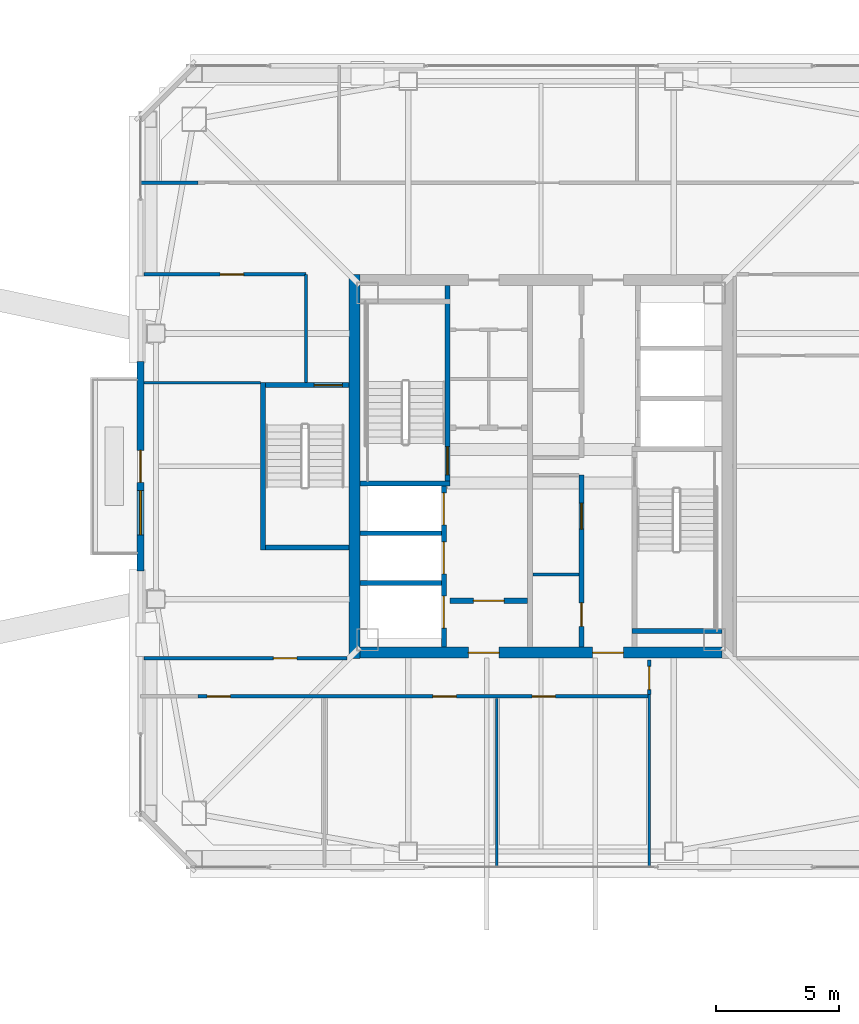
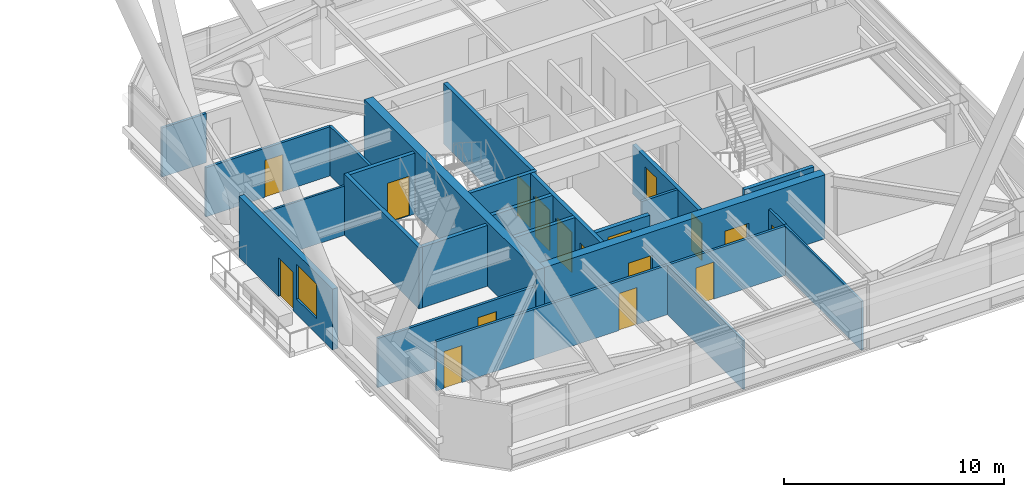
# One storey, part 46 of 56: 24 walls, 17 doors, 1 window, 18 openings.
"""IFC4 building model written with IfcOpenShell, lengths in metres."""

from ifc_helpers import new_model, si_unit, direction, frame, frame_2d, origin, place, context, subcontext, project, spatial, rectangle, extrude, material, layer, layer_set, type_object, element, fill, save


model = new_model("IFC4")

# Units and contexts
model_context = context("Model", 3, precision=1e-05, world=origin(), true_north=direction((0.0, 1.0)))
body_context = subcontext(model_context, "Body", "Model", "MODEL_VIEW")
ifc_project = project(units=[si_unit("LENGTHUNIT", "METRE"), si_unit("AREAUNIT", "SQUARE_METRE"), si_unit("VOLUMEUNIT", "CUBIC_METRE"), si_unit("PLANEANGLEUNIT", "RADIAN"), si_unit("MASSUNIT", "GRAM", prefix="KILO")], contexts=[model_context])

# Site, building, storey
site_placement = place(None, origin())
site = spatial("IfcSite", under=ifc_project, at=site_placement, CompositionType="ELEMENT")
building_placement = place(site_placement, origin())
building = spatial("IfcBuilding", under=site, at=building_placement, Name="Tashvorn Skyway Center", CompositionType="ELEMENT")
storey_placement = place(building_placement, frame((0.0, 0.0, 218.39990234375)))
storey = spatial("IfcBuildingStorey", under=building, at=storey_placement, Name="L59", CompositionType="ELEMENT", Elevation=218.39990234375)

# Wall
ifc_material_1 = material(Name="Concrete C50/60", Category="concrete")
ifc_layer_1 = layer(ifc_material_1, 0.449951171875)
ifc_layer_set_1 = layer_set([ifc_layer_1], Name="Concrete C50/60")
wall_type_1 = type_object("IfcWallType", Name="WALL-CORE-450", PredefinedType="SHEAR", material=ifc_layer_set_1)
wall_1_placement = place(storey_placement, frame((34.425048828125, 24.199951171875, 0.0), z_axis=(0.0, 0.0, 1.0), x_axis=(0.0, 1.0, 0.0)))
element("IfcWall", 1, at=wall_1_placement, inside=storey, type_object=wall_type_1, Name="Tower 1 L59 West Core Shear Wall", PredefinedType="SHEAR", context=body_context, shape_type="SweptSolid", body=[
    extrude(rectangle(XDim=15.60009765625, YDim=0.449951171875, at=frame_2d((7.800048828125, 0.0))), origin(), (0.0, 0.0, 1.0), 3.550048828125),
])

# Wall, openings, doors
wall_2_placement = place(storey_placement, frame((49.35009765625, 24.425048828125, 0.0), z_axis=(0.0, 0.0, 1.0), x_axis=(-1.0, 0.0, 0.0)))
wall_2 = element("IfcWall", 2, at=wall_2_placement, inside=storey, type_object=wall_type_1, Name="Tower 1 L59 South Core Shear Wall", PredefinedType="SHEAR", context=body_context, shape_type="SweptSolid", body=[
    extrude(rectangle(XDim=14.7001953125, YDim=0.449951171875, at=frame_2d((7.35009765625, 0.0))), origin(), (0.0, 0.0, 1.0), 3.550048828125),
])
opening_1_placement = place(wall_2_placement, frame((9.050048828125, 0.0, 0.0)))
opening_1 = element("IfcOpeningElement", 3, at=opening_1_placement, cuts=wall_2, Name="Opening D-FFL-1250", PredefinedType="OPENING", context=body_context, shape_type="SweptSolid", body=[
    extrude(rectangle(XDim=1.25, YDim=2.25, at=frame_2d((0.625, 1.125))), frame((0.0, 0.23486328125, 0.0), z_axis=(0.0, -1.0, 0.0), x_axis=(1.0, 0.0, 0.0)), (0.0, 0.0, 1.0), 0.469970703125),
])
opening_2_placement = place(wall_2_placement, frame((4.0, 0.0, 0.0)))
opening_2 = element("IfcOpeningElement", 4, at=opening_2_placement, cuts=wall_2, Name="Opening D-FFL-1250", PredefinedType="OPENING", context=body_context, shape_type="SweptSolid", body=[
    extrude(rectangle(XDim=1.25, YDim=2.25, at=frame_2d((0.625, 1.125))), frame((0.0, 0.23486328125, 0.0), z_axis=(0.0, -1.0, 0.0), x_axis=(1.0, 0.0, 0.0)), (0.0, 0.0, 1.0), 0.469970703125),
])
ifc_material_2 = material(Name="Hollow galvanized steel fire door assembly", Category="steel")
door_type_1 = type_object("IfcDoorType", Name="DOOR-FFL-1250", OperationType="NOTDEFINED", PredefinedType="DOOR", material=ifc_material_2)
door_1_placement = place(opening_1_placement, origin())
door_1 = element("IfcDoor", 5, at=door_1_placement, inside=storey, type_object=door_type_1, Name="Tower 1 L59 Core South Firefighting Exit Door", OperationType="SINGLE_SWING_LEFT", OverallHeight=2.25, OverallWidth=1.25, PredefinedType="DOOR", context=body_context, shape_type="SweptSolid", body=[
    extrude(rectangle(XDim=1.25, YDim=2.25, at=frame_2d((0.625, 1.125))), frame((0.0, 0.02490234375, 0.0), z_axis=(0.0, -1.0, 0.0), x_axis=(1.0, 0.0, 0.0)), (0.0, 0.0, 1.0), 0.050048828125),
])
fill(opening_1, door_1)
door_2_placement = place(opening_2_placement, origin())
door_2 = element("IfcDoor", 6, at=door_2_placement, inside=storey, type_object=door_type_1, Name="Tower 1 L59 Core South Lift Lobby Door", OperationType="SINGLE_SWING_RIGHT", OverallHeight=2.25, OverallWidth=1.25, PredefinedType="DOOR", context=body_context, shape_type="SweptSolid", body=[
    extrude(rectangle(XDim=1.25, YDim=2.25, at=frame_2d((0.625, 1.125))), frame((0.0, 0.02490234375, 0.0), z_axis=(0.0, -1.0, 0.0), x_axis=(1.0, 0.0, 0.0)), (0.0, 0.0, 1.0), 0.050048828125),
])
fill(opening_2, door_2)

# Wall, openings, door, window
ifc_material_3 = material(Name="Precast concrete C40/50", Category="concrete")
ifc_layer_2 = layer(ifc_material_3, 0.280029296875)
ifc_layer_set_2 = layer_set([ifc_layer_2], Name="Precast concrete C40/50")
wall_type_2 = type_object("IfcWallType", Name="WALL-EXT-280", PredefinedType="SOLIDWALL", material=ifc_layer_set_2)
wall_3_placement = place(storey_placement, frame((25.719970703125, 27.75, 0.0), z_axis=(0.0, 0.0, 1.0), x_axis=(0.0, 1.0, 0.0)))
wall_3 = element("IfcWall", 7, at=wall_3_placement, inside=storey, type_object=wall_type_2, Name="Tower 1 L59 West Terrace Portal Wall", PredefinedType="SOLIDWALL", context=body_context, shape_type="SweptSolid", body=[
    extrude(rectangle(XDim=8.5, YDim=0.280029296875, at=frame_2d((4.25, 0.0))), origin(), (0.0, 0.0, 1.0), 3.3701171875),
])
opening_3_placement = place(wall_3_placement, frame((3.60009765625, 0.0, 0.0)))
opening_3 = element("IfcOpeningElement", 8, at=opening_3_placement, cuts=wall_3, Name="Opening D-TER-1300", PredefinedType="OPENING", context=body_context, shape_type="SweptSolid", body=[
    extrude(rectangle(XDim=1.300048828125, YDim=2.14990234375, at=frame_2d((0.64990234375, 1.074951171875))), frame((0.0, 0.14990234375, 0.0), z_axis=(0.0, -1.0, 0.0), x_axis=(1.0, 0.0, 0.0)), (0.0, 0.0, 1.0), 0.300048828125),
])
opening_4_placement = place(wall_3_placement, frame((1.4599609375, 0.0, 0.85009765625)))
opening_4 = element("IfcOpeningElement", 9, at=opening_4_placement, cuts=wall_3, Name="Opening WIN-1800", PredefinedType="OPENING", context=body_context, shape_type="SweptSolid", body=[
    extrude(rectangle(XDim=1.800048828125, YDim=1.919921875, at=frame_2d((0.89990234375, 0.9599609375))), frame((0.0, 0.14990234375, 0.0), z_axis=(0.0, -1.0, 0.0), x_axis=(1.0, 0.0, 0.0)), (0.0, 0.0, 1.0), 0.300048828125),
])
ifc_material_4 = material(Name="Thermally broken bronze-anodized aluminium 6063-T6", Category="aluminium")
door_type_2 = type_object("IfcDoorType", Name="DOOR-TERR-1300", OperationType="NOTDEFINED", PredefinedType="DOOR", material=ifc_material_4)
door_3_placement = place(opening_3_placement, origin())
door_3 = element("IfcDoor", 10, at=door_3_placement, inside=storey, type_object=door_type_2, Name="Tower 1 L59 Terrace Access Door", OperationType="SINGLE_SWING_LEFT", OverallHeight=2.14990234375, OverallWidth=1.300048828125, PredefinedType="DOOR", context=body_context, shape_type="SweptSolid", body=[
    extrude(rectangle(XDim=1.300048828125, YDim=2.14990234375, at=frame_2d((0.64990234375, 1.074951171875))), frame((0.0, 0.02490234375, 0.0), z_axis=(0.0, -1.0, 0.0), x_axis=(1.0, 0.0, 0.0)), (0.0, 0.0, 1.0), 0.050048828125),
])
fill(opening_3, door_3)
ifc_material_5 = material(Name="Low-E solar-control double insulating safety glass", Category="glass")
window_type = type_object("IfcWindowType", Name="WIN-TERR-1800", PartitioningType="SINGLE_PANEL", PredefinedType="WINDOW", material=ifc_material_5)
window_placement = place(opening_4_placement, origin())
window = element("IfcWindow", 11, at=window_placement, inside=storey, type_object=window_type, Name="Tower 1 L59 Terrace Window", OverallHeight=1.919921875, OverallWidth=1.800048828125, PartitioningType="SINGLE_PANEL", PredefinedType="WINDOW", context=body_context, shape_type="SweptSolid", body=[
    extrude(rectangle(XDim=1.800048828125, YDim=1.919921875, at=frame_2d((0.89990234375, 0.9599609375))), frame((0.0, 0.030029296875, 0.0), z_axis=(0.0, -1.0, 0.0), x_axis=(1.0, 0.0, 0.0)), (0.0, 0.0, 1.0), 0.06005859375),
])
fill(opening_4, window)

# Wall, opening, door
ifc_material_6 = material(Name="Concrete C40/50", Category="concrete")
ifc_layer_3 = layer(ifc_material_6, 0.219970703125)
ifc_layer_set_3 = layer_set([ifc_layer_3], Name="Concrete C40/50")
wall_type_3 = type_object("IfcWallType", Name="WALL-FFL-220", PredefinedType="SOLIDWALL", material=ifc_layer_set_3)
wall_4_placement = place(storey_placement, frame((38.300048828125, 26.5400390625, 0.0), z_axis=(0.0, 0.0, 1.0), x_axis=(1.0, 0.0, 0.0)))
wall_4 = element("IfcWall", 12, at=wall_4_placement, inside=storey, type_object=wall_type_3, Name="Tower 1 L59 Firefighting Lobby South Wall", PredefinedType="SOLIDWALL", context=body_context, shape_type="SweptSolid", body=[
    extrude(rectangle(XDim=3.14990234375, YDim=0.219970703125, at=frame_2d((1.574951171875, 0.0))), origin(), (0.0, 0.0, 1.0), 2.72314453125),
])
opening_5_placement = place(wall_4_placement, frame((0.949951171875, 0.0, 0.0)))
opening_5 = element("IfcOpeningElement", 13, at=opening_5_placement, cuts=wall_4, Name="Opening D-FFL-1250", PredefinedType="OPENING", context=body_context, shape_type="SweptSolid", body=[
    extrude(rectangle(XDim=1.25, YDim=2.25, at=frame_2d((0.625, 1.125))), frame((0.0, 0.119873046875, 0.0), z_axis=(0.0, -1.0, 0.0), x_axis=(1.0, 0.0, 0.0)), (0.0, 0.0, 1.0), 0.239990234375),
])
door_4_placement = place(opening_5_placement, origin())
door_4 = element("IfcDoor", 14, at=door_4_placement, inside=storey, type_object=door_type_1, Name="Tower 1 L59 Firefighting Lobby Egress Door", OperationType="SINGLE_SWING_LEFT", OverallHeight=2.25, OverallWidth=1.25, PredefinedType="DOOR", context=body_context, shape_type="SweptSolid", body=[
    extrude(rectangle(XDim=1.25, YDim=2.25, at=frame_2d((0.625, 1.125))), frame((0.0, 0.02490234375, 0.0), z_axis=(0.0, -1.0, 0.0), x_axis=(1.0, 0.0, 0.0)), (0.0, 0.0, 1.0), 0.050048828125),
])
fill(opening_5, door_4)

# Walls
ifc_material_7 = material(Name="Gypsum board on cold-formed steel stud framing", Category="steel")
ifc_layer_4 = layer(ifc_material_7, 0.110107421875)
ifc_layer_set_4 = layer_set([ifc_layer_4], Name="Gypsum board on cold-formed steel stud framing")
wall_type_4 = type_object("IfcWallType", Name="WALL-PART-110", PredefinedType="PARTITIONING", material=ifc_layer_set_4)
wall_5_placement = place(storey_placement, frame((40.199951171875, 15.719970703125, 0.0), z_axis=(0.0, 0.0, 1.0), x_axis=(0.0, 1.0, 0.0)))
element("IfcWall", 15, at=wall_5_placement, inside=storey, type_object=wall_type_4, Name="Tower 1 L59 South Suite Partition 2", PredefinedType="PARTITIONING", context=body_context, shape_type="SweptSolid", body=[
    extrude(rectangle(XDim=6.85009765625, YDim=0.110107421875, at=frame_2d((3.425048828125, 0.0))), origin(), (0.0, 0.0, 1.0), 2.72314453125),
])
wall_6_placement = place(storey_placement, frame((46.39990234375, 15.719970703125, 0.0), z_axis=(0.0, 0.0, 1.0), x_axis=(0.0, 1.0, 0.0)))
element("IfcWall", 16, at=wall_6_placement, inside=storey, type_object=wall_type_4, Name="Tower 1 L59 South-East Suite Wall", PredefinedType="PARTITIONING", context=body_context, shape_type="SweptSolid", body=[
    extrude(rectangle(XDim=7.010009765625, YDim=0.110107421875, at=frame_2d((3.5048828125, 0.0))), origin(), (0.0, 0.0, 1.0), 2.72314453125),
])
wall_7_placement = place(storey_placement, frame((30.60009765625, 35.39990234375, 0.0), z_axis=(0.0, 0.0, 1.0), x_axis=(-1.0, 0.0, 0.0)))
element("IfcWall", 17, at=wall_7_placement, inside=storey, type_object=wall_type_4, Name="Tower 1 L59 West Suite Partition 1", PredefinedType="PARTITIONING", context=body_context, shape_type="SweptSolid", body=[
    extrude(rectangle(XDim=4.72998046875, YDim=0.110107421875, at=frame_2d((2.364990234375, 0.0))), origin(), (0.0, 0.0, 1.0), 2.72314453125),
])
ifc_layer_5 = layer(ifc_material_7, 0.135009765625)
ifc_layer_set_5 = layer_set([ifc_layer_5], Name="Gypsum board on cold-formed steel stud framing")
wall_type_5 = type_object("IfcWallType", Name="WALL-PART-135", PredefinedType="PARTITIONING", material=ifc_layer_set_5)
wall_8_placement = place(storey_placement, frame((32.449951171875, 35.39990234375, 0.0), z_axis=(0.0, 0.0, 1.0), x_axis=(0.0, 1.0, 0.0)))
element("IfcWall", 18, at=wall_8_placement, inside=storey, type_object=wall_type_5, Name="Tower 1 L59 Stair 3 Access Corridor Wall", PredefinedType="PARTITIONING", context=body_context, shape_type="SweptSolid", body=[
    extrude(rectangle(XDim=4.400146484375, YDim=0.135009765625, at=frame_2d((2.2001953125, 0.0))), origin(), (0.0, 0.0, 1.0), 2.72314453125),
])
wall_9_placement = place(storey_placement, frame((25.719970703125, 43.52001953125, 0.0), z_axis=(0.0, 0.0, 1.0), x_axis=(1.0, 0.0, 0.0)))
element("IfcWall", 19, at=wall_9_placement, inside=storey, type_object=wall_type_5, Name="Tower 1 L59 North-West Suite South Wall", PredefinedType="PARTITIONING", context=body_context, shape_type="SweptSolid", body=[
    extrude(rectangle(XDim=2.330078125, YDim=0.135009765625, at=frame_2d((1.1650390625, 0.0))), origin(), (0.0, 0.0, 1.0), 2.72314453125),
])

# Wall, openings, doors
wall_10_placement = place(storey_placement, frame((46.39990234375, 22.64990234375, 0.0), z_axis=(0.0, 0.0, 1.0), x_axis=(-1.0, 0.0, 0.0)))
wall_10 = element("IfcWall", 20, at=wall_10_placement, inside=storey, type_object=wall_type_5, Name="Tower 1 L59 South Suite Wall", PredefinedType="PARTITIONING", context=body_context, shape_type="SweptSolid", body=[
    extrude(rectangle(XDim=18.349853515625, YDim=0.135009765625, at=frame_2d((9.1748046875, 0.0))), origin(), (0.0, 0.0, 1.0), 2.72314453125),
])
opening_6_placement = place(wall_10_placement, frame((17.02001953125, 0.0, 0.0)))
opening_6 = element("IfcOpeningElement", 21, at=opening_6_placement, cuts=wall_10, Name="Opening D-INT-950", PredefinedType="OPENING", context=body_context, shape_type="SweptSolid", body=[
    extrude(rectangle(XDim=0.949951171875, YDim=2.050048828125, at=frame_2d((0.47509765625, 1.02490234375))), frame((0.0, 0.077392578125, 0.0), z_axis=(0.0, -1.0, 0.0), x_axis=(1.0, 0.0, 0.0)), (0.0, 0.0, 1.0), 0.155029296875),
])
opening_7_placement = place(wall_10_placement, frame((7.839599609375, 0.0, 0.0)))
opening_7 = element("IfcOpeningElement", 22, at=opening_7_placement, cuts=wall_10, Name="Opening D-INT-950", PredefinedType="OPENING", context=body_context, shape_type="SweptSolid", body=[
    extrude(rectangle(XDim=0.949951171875, YDim=2.050048828125, at=frame_2d((0.47509765625, 1.02490234375))), frame((0.0, 0.077392578125, 0.0), z_axis=(0.0, -1.0, 0.0), x_axis=(1.0, 0.0, 0.0)), (0.0, 0.0, 1.0), 0.155029296875),
])
opening_8_placement = place(wall_10_placement, frame((3.8134765625, 0.0, 0.0)))
opening_8 = element("IfcOpeningElement", 23, at=opening_8_placement, cuts=wall_10, Name="Opening D-INT-950", PredefinedType="OPENING", context=body_context, shape_type="SweptSolid", body=[
    extrude(rectangle(XDim=0.949951171875, YDim=2.050048828125, at=frame_2d((0.47509765625, 1.02490234375))), frame((0.0, 0.077392578125, 0.0), z_axis=(0.0, -1.0, 0.0), x_axis=(1.0, 0.0, 0.0)), (0.0, 0.0, 1.0), 0.155029296875),
])
ifc_material_8 = material(Name="Solid-core architectural oak veneer door")
door_type_3 = type_object("IfcDoorType", Name="DOOR-INT-950", OperationType="NOTDEFINED", PredefinedType="DOOR", material=ifc_material_8)
door_5_placement = place(opening_6_placement, origin())
door_5 = element("IfcDoor", 24, at=door_5_placement, inside=storey, type_object=door_type_3, Name="Tower 1 L59 Executive Suite Door", OperationType="SINGLE_SWING_LEFT", OverallHeight=2.050048828125, OverallWidth=0.949951171875, PredefinedType="DOOR", context=body_context, shape_type="SweptSolid", body=[
    extrude(rectangle(XDim=0.949951171875, YDim=2.050048828125, at=frame_2d((0.47509765625, 1.02490234375))), frame((0.0, 0.02490234375, 0.0), z_axis=(0.0, -1.0, 0.0), x_axis=(1.0, 0.0, 0.0)), (0.0, 0.0, 1.0), 0.050048828125),
])
fill(opening_6, door_5)
door_6_placement = place(opening_7_placement, origin())
door_6 = element("IfcDoor", 25, at=door_6_placement, inside=storey, type_object=door_type_3, Name="Tower 1 L59 Catering Pantry Door", OperationType="SINGLE_SWING_RIGHT", OverallHeight=2.050048828125, OverallWidth=0.949951171875, PredefinedType="DOOR", context=body_context, shape_type="SweptSolid", body=[
    extrude(rectangle(XDim=0.949951171875, YDim=2.050048828125, at=frame_2d((0.47509765625, 1.02490234375))), frame((0.0, 0.02490234375, 0.0), z_axis=(0.0, -1.0, 0.0), x_axis=(1.0, 0.0, 0.0)), (0.0, 0.0, 1.0), 0.050048828125),
])
fill(opening_7, door_6)
door_7_placement = place(opening_8_placement, origin())
door_7 = element("IfcDoor", 26, at=door_7_placement, inside=storey, type_object=door_type_3, Name="Tower 1 L59 Catering Pantry Door", OperationType="SINGLE_SWING_LEFT", OverallHeight=2.050048828125, OverallWidth=0.949951171875, PredefinedType="DOOR", context=body_context, shape_type="SweptSolid", body=[
    extrude(rectangle(XDim=0.949951171875, YDim=2.050048828125, at=frame_2d((0.47509765625, 1.02490234375))), frame((0.0, 0.02490234375, 0.0), z_axis=(0.0, -1.0, 0.0), x_axis=(1.0, 0.0, 0.0)), (0.0, 0.0, 1.0), 0.050048828125),
])
fill(opening_8, door_7)

# Wall, opening, door
wall_11_placement = place(storey_placement, frame((46.39990234375, 24.1201171875, 0.0), z_axis=(0.0, 0.0, 1.0), x_axis=(0.0, -1.0, 0.0)))
wall_11 = element("IfcWall", 27, at=wall_11_placement, inside=storey, type_object=wall_type_5, Name="Tower 1 L59 South Gallery End Wall", PredefinedType="PARTITIONING", context=body_context, shape_type="SweptSolid", body=[
    extrude(rectangle(XDim=1.39013671875, YDim=0.135009765625, at=frame_2d((0.695068359375, 0.0))), origin(), (0.0, 0.0, 1.0), 2.72314453125),
])
opening_9_placement = place(wall_11_placement, frame((0.25, 0.0, 0.0)))
opening_9 = element("IfcOpeningElement", 28, at=opening_9_placement, cuts=wall_11, Name="Opening D-INT-950", PredefinedType="OPENING", context=body_context, shape_type="SweptSolid", body=[
    extrude(rectangle(XDim=0.949951171875, YDim=2.050048828125, at=frame_2d((0.47509765625, 1.02490234375))), frame((0.0, 0.077392578125, 0.0), z_axis=(0.0, -1.0, 0.0), x_axis=(1.0, 0.0, 0.0)), (0.0, 0.0, 1.0), 0.155029296875),
])
door_8_placement = place(opening_9_placement, origin())
door_8 = element("IfcDoor", 29, at=door_8_placement, inside=storey, type_object=door_type_3, Name="Tower 1 L59 Executive Suite Door", OperationType="SINGLE_SWING_RIGHT", OverallHeight=2.050048828125, OverallWidth=0.949951171875, PredefinedType="DOOR", context=body_context, shape_type="SweptSolid", body=[
    extrude(rectangle(XDim=0.949951171875, YDim=2.050048828125, at=frame_2d((0.47509765625, 1.02490234375))), frame((0.0, 0.02490234375, 0.0), z_axis=(0.0, -1.0, 0.0), x_axis=(1.0, 0.0, 0.0)), (0.0, 0.0, 1.0), 0.050048828125),
])
fill(opening_9, door_8)

wall_12_placement = place(storey_placement, frame((32.449951171875, 39.800048828125, 0.0), z_axis=(0.0, 0.0, 1.0), x_axis=(-1.0, 0.0, 0.0)))
wall_12 = element("IfcWall", 30, at=wall_12_placement, inside=storey, type_object=wall_type_5, Name="Tower 1 L59 West Suite North Wall", PredefinedType="PARTITIONING", context=body_context, shape_type="SweptSolid", body=[
    extrude(rectangle(XDim=6.579833984375, YDim=0.135009765625, at=frame_2d((3.2900390625, 0.0))), origin(), (0.0, 0.0, 1.0), 2.72314453125),
])
opening_10_placement = place(wall_12_placement, frame((2.5400390625, 0.0, 0.0)))
opening_10 = element("IfcOpeningElement", 31, at=opening_10_placement, cuts=wall_12, Name="Opening D-INT-950", PredefinedType="OPENING", context=body_context, shape_type="SweptSolid", body=[
    extrude(rectangle(XDim=0.949951171875, YDim=2.050048828125, at=frame_2d((0.47509765625, 1.02490234375))), frame((0.0, 0.077392578125, 0.0), z_axis=(0.0, -1.0, 0.0), x_axis=(1.0, 0.0, 0.0)), (0.0, 0.0, 1.0), 0.155029296875),
])
door_9_placement = place(opening_10_placement, origin())
door_9 = element("IfcDoor", 32, at=door_9_placement, inside=storey, type_object=door_type_3, Name="Tower 1 L59 Security Control Room Door", OperationType="SINGLE_SWING_LEFT", OverallHeight=2.050048828125, OverallWidth=0.949951171875, PredefinedType="DOOR", context=body_context, shape_type="SweptSolid", body=[
    extrude(rectangle(XDim=0.949951171875, YDim=2.050048828125, at=frame_2d((0.47509765625, 1.02490234375))), frame((0.0, 0.02490234375, 0.0), z_axis=(0.0, -1.0, 0.0), x_axis=(1.0, 0.0, 0.0)), (0.0, 0.0, 1.0), 0.050048828125),
])
fill(opening_10, door_9)

wall_13_placement = place(storey_placement, frame((25.8701171875, 24.199951171875, 0.0), z_axis=(0.0, 0.0, 1.0), x_axis=(1.0, 0.0, 0.0)))
wall_13 = element("IfcWall", 33, at=wall_13_placement, inside=storey, type_object=wall_type_5, Name="Tower 1 L59 West Suite South Wall", PredefinedType="PARTITIONING", context=body_context, shape_type="SweptSolid", body=[
    extrude(rectangle(XDim=8.25, YDim=0.135009765625, at=frame_2d((4.125, 0.0))), origin(), (0.0, 0.0, 1.0), 2.72314453125),
])
opening_11_placement = place(wall_13_placement, frame((5.2548828125, 0.0, 0.0)))
opening_11 = element("IfcOpeningElement", 34, at=opening_11_placement, cuts=wall_13, Name="Opening D-INT-950", PredefinedType="OPENING", context=body_context, shape_type="SweptSolid", body=[
    extrude(rectangle(XDim=0.949951171875, YDim=2.050048828125, at=frame_2d((0.47509765625, 1.02490234375))), frame((0.0, 0.077392578125, 0.0), z_axis=(0.0, -1.0, 0.0), x_axis=(1.0, 0.0, 0.0)), (0.0, 0.0, 1.0), 0.155029296875),
])
door_10_placement = place(opening_11_placement, origin())
door_10 = element("IfcDoor", 35, at=door_10_placement, inside=storey, type_object=door_type_3, Name="Tower 1 L59 Public Restroom Door", OperationType="SINGLE_SWING_RIGHT", OverallHeight=2.050048828125, OverallWidth=0.949951171875, PredefinedType="DOOR", context=body_context, shape_type="SweptSolid", body=[
    extrude(rectangle(XDim=0.949951171875, YDim=2.050048828125, at=frame_2d((0.47509765625, 1.02490234375))), frame((0.0, 0.02490234375, 0.0), z_axis=(0.0, -1.0, 0.0), x_axis=(1.0, 0.0, 0.0)), (0.0, 0.0, 1.0), 0.050048828125),
])
fill(opening_11, door_10)

# Walls
ifc_layer_6 = layer(ifc_material_7, 0.135009765625)
ifc_layer_set_6 = layer_set([ifc_layer_6], Name="Gypsum board on cold-formed steel stud framing")
wall_type_6 = type_object("IfcWallType", Name="WALL-RATED-135", PredefinedType="PARTITIONING", material=ifc_layer_set_6)
wall_14_placement = place(storey_placement, frame((41.669921875, 27.60009765625, 0.0), z_axis=(0.0, 0.0, 1.0), x_axis=(1.0, 0.0, 0.0)))
element("IfcWall", 36, at=wall_14_placement, inside=storey, type_object=wall_type_6, Name="Tower 1 L59 Freed Core Partition", PredefinedType="PARTITIONING", context=body_context, shape_type="SweptSolid", body=[
    extrude(rectangle(XDim=1.880126953125, YDim=0.135009765625, at=frame_2d((0.93994140625, 0.0))), origin(), (0.0, 0.0, 1.0), 2.72314453125),
])
ifc_layer_7 = layer(ifc_material_6, 0.199951171875)
ifc_layer_set_7 = layer_set([ifc_layer_7], Name="Concrete C40/50")
wall_type_7 = type_object("IfcWallType", Name="WALL-SHAFT-200", PredefinedType="SOLIDWALL", material=ifc_layer_set_7)
for number, where, z_axis, x_axis, name in (
    (37, (34.64990234375, 27.25, 0.0), (0.0, 0.0, 1.0), (1.0, 0.0, 0.0), "Tower 1 L59 FSAE Shaft Divider"),
    (38, (34.64990234375, 29.280029296875, 0.0), (0.0, 0.0, 1.0), (1.0, 0.0, 0.0), "Tower 1 L59 FSAE Shaft Divider"),
):
    element("IfcWall", number, at=place(storey_placement, frame(where, z_axis=z_axis, x_axis=x_axis)), inside=storey, type_object=wall_type_7, Name=name, PredefinedType="SOLIDWALL", context=body_context, shape_type="SweptSolid", body=[
        extrude(rectangle(XDim=3.300048828125, YDim=0.199951171875, at=frame_2d((1.64990234375, 0.0))), origin(), (0.0, 0.0, 1.0), 3.3701171875),
    ])

# Wall, openings, doors
wall_15_placement = place(storey_placement, frame((43.64990234375, 24.64990234375, 0.0), z_axis=(0.0, 0.0, 1.0), x_axis=(0.0, 1.0, 0.0)))
wall_15 = element("IfcWall", 39, at=wall_15_placement, inside=storey, type_object=wall_type_7, Name="Tower 1 L59 Low-Rise Core Wall", PredefinedType="SOLIDWALL", context=body_context, shape_type="SweptSolid", body=[
    extrude(rectangle(XDim=7.0, YDim=0.199951171875, at=frame_2d((3.5, 0.0))), origin(), (0.0, 0.0, 1.0), 2.72314453125),
])
opening_12_placement = place(wall_15_placement, frame((0.85009765625, 0.0, 0.0)))
opening_12 = element("IfcOpeningElement", 40, at=opening_12_placement, cuts=wall_15, Name="Opening D-RT-950", PredefinedType="OPENING", context=body_context, shape_type="SweptSolid", body=[
    extrude(rectangle(XDim=0.949951171875, YDim=2.050048828125, at=frame_2d((0.47509765625, 1.02490234375))), frame((0.0, 0.10986328125, 0.0), z_axis=(0.0, -1.0, 0.0), x_axis=(1.0, 0.0, 0.0)), (0.0, 0.0, 1.0), 0.219970703125),
])
opening_13_placement = place(wall_15_placement, frame((4.800048828125, 0.0, 0.0)))
opening_13 = element("IfcOpeningElement", 41, at=opening_13_placement, cuts=wall_15, Name="Opening D-RT-1050", PredefinedType="OPENING", context=body_context, shape_type="SweptSolid", body=[
    extrude(rectangle(XDim=1.050048828125, YDim=2.199951171875, at=frame_2d((0.52490234375, 1.10009765625))), frame((0.0, 0.10986328125, 0.0), z_axis=(0.0, -1.0, 0.0), x_axis=(1.0, 0.0, 0.0)), (0.0, 0.0, 1.0), 0.219970703125),
])
door_type_4 = type_object("IfcDoorType", Name="DOOR-RATED-1050", OperationType="NOTDEFINED", PredefinedType="DOOR", material=ifc_material_2)
door_11_placement = place(opening_13_placement, origin())
door_11 = element("IfcDoor", 42, at=door_11_placement, inside=storey, type_object=door_type_4, Name="Tower 1 L59 Freed Core Room Door", OperationType="SINGLE_SWING_RIGHT", OverallHeight=2.199951171875, OverallWidth=1.050048828125, PredefinedType="DOOR", context=body_context, shape_type="SweptSolid", body=[
    extrude(rectangle(XDim=1.050048828125, YDim=2.199951171875, at=frame_2d((0.52490234375, 1.10009765625))), frame((0.0, 0.02490234375, 0.0), z_axis=(0.0, -1.0, 0.0), x_axis=(1.0, 0.0, 0.0)), (0.0, 0.0, 1.0), 0.050048828125),
])
fill(opening_13, door_11)
door_type_5 = type_object("IfcDoorType", Name="DOOR-RATED-950", OperationType="NOTDEFINED", PredefinedType="DOOR", material=ifc_material_2)
door_12_placement = place(opening_12_placement, origin())
door_12 = element("IfcDoor", 43, at=door_12_placement, inside=storey, type_object=door_type_5, Name="Tower 1 L59 Core Print Room Door", OperationType="SINGLE_SWING_LEFT", OverallHeight=2.050048828125, OverallWidth=0.949951171875, PredefinedType="DOOR", context=body_context, shape_type="SweptSolid", body=[
    extrude(rectangle(XDim=0.949951171875, YDim=2.050048828125, at=frame_2d((0.47509765625, 1.02490234375))), frame((0.0, 0.02490234375, 0.0), z_axis=(0.0, -1.0, 0.0), x_axis=(1.0, 0.0, 0.0)), (0.0, 0.0, 1.0), 0.050048828125),
])
fill(opening_12, door_12)

# Wall, opening, door
ifc_layer_8 = layer(ifc_material_6, 0.199951171875)
ifc_layer_set_8 = layer_set([ifc_layer_8], Name="Concrete C40/50")
wall_type_8 = type_object("IfcWallType", Name="WALL-STSHF-200", PredefinedType="SHEAR", material=ifc_layer_set_8)
wall_16_placement = place(storey_placement, frame((38.199951171875, 31.199951171875, 0.0), z_axis=(0.0, 0.0, 1.0), x_axis=(0.0, 1.0, 0.0)))
wall_16 = element("IfcWall", 44, at=wall_16_placement, inside=storey, type_object=wall_type_8, Name="Tower 1 L59 Stair 1 Enclosure Wall", PredefinedType="SHEAR", context=body_context, shape_type="SweptSolid", body=[
    extrude(rectangle(XDim=8.150146484375, YDim=0.199951171875, at=frame_2d((4.0751953125, 0.0))), origin(), (0.0, 0.0, 1.0), 3.3701171875),
])
opening_14_placement = place(wall_16_placement, frame((0.449951171875, 0.0, 0.0)))
opening_14 = element("IfcOpeningElement", 45, at=opening_14_placement, cuts=wall_16, Name="Opening D-ST-1150", PredefinedType="OPENING", context=body_context, shape_type="SweptSolid", body=[
    extrude(rectangle(XDim=1.14990234375, YDim=2.199951171875, at=frame_2d((0.574951171875, 1.10009765625))), frame((0.0, 0.10986328125, 0.0), z_axis=(0.0, -1.0, 0.0), x_axis=(1.0, 0.0, 0.0)), (0.0, 0.0, 1.0), 0.219970703125),
])
door_type_6 = type_object("IfcDoorType", Name="DOOR-STAIR-1150", OperationType="NOTDEFINED", PredefinedType="DOOR", material=ifc_material_2)
door_13_placement = place(opening_14_placement, origin())
door_13 = element("IfcDoor", 46, at=door_13_placement, inside=storey, type_object=door_type_6, Name="Tower 1 L59 Exit Stair 1 Door", OperationType="SINGLE_SWING_RIGHT", OverallHeight=2.199951171875, OverallWidth=1.14990234375, PredefinedType="DOOR", context=body_context, shape_type="SweptSolid", body=[
    extrude(rectangle(XDim=1.14990234375, YDim=2.199951171875, at=frame_2d((0.574951171875, 1.10009765625))), frame((0.0, 0.02490234375, 0.0), z_axis=(0.0, -1.0, 0.0), x_axis=(1.0, 0.0, 0.0)), (0.0, 0.0, 1.0), 0.050048828125),
])
fill(opening_14, door_13)

# Walls
for number, where, z_axis, x_axis, name in (
    (47, (34.64990234375, 31.300048828125, 0.0), (0.0, 0.0, 1.0), (1.0, 0.0, 0.0), "Tower 1 L59 Stair 1 South Wall"),
    (48, (45.699951171875, 25.300048828125, 0.0), (0.0, 0.0, 1.0), (1.0, 0.0, 0.0), "Tower 1 L59 Stair 2 South Wall"),
):
    element("IfcWall", number, at=place(storey_placement, frame(where, z_axis=z_axis, x_axis=x_axis)), inside=storey, type_object=wall_type_8, Name=name, PredefinedType="SHEAR", context=body_context, shape_type="SweptSolid", body=[
        extrude(rectangle(XDim=3.650146484375, YDim=0.199951171875, at=frame_2d((1.8251953125, 0.0))), origin(), (0.0, 0.0, 1.0), 3.3701171875),
    ])

# Wall, openings, doors
wall_17_placement = place(storey_placement, frame((38.050048828125, 24.64990234375, 0.0), z_axis=(0.0, 0.0, 1.0), x_axis=(0.0, 1.0, 0.0)))
wall_17 = element("IfcWall", 49, at=wall_17_placement, inside=storey, type_object=wall_type_8, Name="Tower 1 L59 FSAE and Goods Shaft Front Wall", PredefinedType="SHEAR", context=body_context, shape_type="SweptSolid", body=[
    extrude(rectangle(XDim=6.550048828125, YDim=0.199951171875, at=frame_2d((3.27490234375, 0.0))), origin(), (0.0, 0.0, 1.0), 3.3701171875),
])
opening_15_placement = place(wall_17_placement, frame((4.97509765625, 0.0, 0.0)))
opening_15 = element("IfcOpeningElement", 50, at=opening_15_placement, cuts=wall_17, Name="Opening LD-FF-T1-1-L59", PredefinedType="OPENING", context=body_context, shape_type="SweptSolid", body=[
    extrude(rectangle(XDim=1.300048828125, YDim=2.25, at=frame_2d((0.64990234375, 1.125))), frame((0.0, 0.10986328125, 0.0), z_axis=(0.0, -1.0, 0.0), x_axis=(1.0, 0.0, 0.0)), (0.0, 0.0, 1.0), 0.219970703125),
])
opening_16_placement = place(wall_17_placement, frame((2.97509765625, 0.0, 0.0)))
opening_16 = element("IfcOpeningElement", 51, at=opening_16_placement, cuts=wall_17, Name="Opening LD-FF-T1-2-L59", PredefinedType="OPENING", context=body_context, shape_type="SweptSolid", body=[
    extrude(rectangle(XDim=1.300048828125, YDim=2.25, at=frame_2d((0.64990234375, 1.125))), frame((0.0, 0.10986328125, 0.0), z_axis=(0.0, -1.0, 0.0), x_axis=(1.0, 0.0, 0.0)), (0.0, 0.0, 1.0), 0.219970703125),
])
opening_17_placement = place(wall_17_placement, frame((0.77490234375, 0.0, 0.0)))
opening_17 = element("IfcOpeningElement", 52, at=opening_17_placement, cuts=wall_17, Name="Opening LD-GD-T1-1-L59", PredefinedType="OPENING", context=body_context, shape_type="SweptSolid", body=[
    extrude(rectangle(XDim=1.300048828125, YDim=2.25, at=frame_2d((0.64990234375, 1.125))), frame((0.0, 0.10986328125, 0.0), z_axis=(0.0, -1.0, 0.0), x_axis=(1.0, 0.0, 0.0)), (0.0, 0.0, 1.0), 0.219970703125),
])
ifc_material_9 = material(Name="Stainless steel heavy-duty landing door", Category="steel")
door_type_7 = type_object("IfcDoorType", Name="DOOR-LIFT-1300", OperationType="SLIDING_TO_LEFT", PredefinedType="DOOR", material=ifc_material_9)
door_14_placement = place(opening_15_placement, origin())
door_14 = element("IfcDoor", 53, at=door_14_placement, inside=storey, type_object=door_type_7, Name="Lift FF-T1-1 L59 Landing Door", OperationType="SLIDING_TO_LEFT", OverallHeight=2.25, OverallWidth=1.300048828125, PredefinedType="DOOR", context=body_context, shape_type="SweptSolid", body=[
    extrude(rectangle(XDim=1.300048828125, YDim=2.25, at=frame_2d((0.64990234375, 1.125))), frame((0.0, 0.02490234375, 0.0), z_axis=(0.0, -1.0, 0.0), x_axis=(1.0, 0.0, 0.0)), (0.0, 0.0, 1.0), 0.050048828125),
])
fill(opening_15, door_14)
door_15_placement = place(opening_16_placement, origin())
door_15 = element("IfcDoor", 54, at=door_15_placement, inside=storey, type_object=door_type_7, Name="Lift FF-T1-2 L59 Landing Door", OperationType="SLIDING_TO_LEFT", OverallHeight=2.25, OverallWidth=1.300048828125, PredefinedType="DOOR", context=body_context, shape_type="SweptSolid", body=[
    extrude(rectangle(XDim=1.300048828125, YDim=2.25, at=frame_2d((0.64990234375, 1.125))), frame((0.0, 0.02490234375, 0.0), z_axis=(0.0, -1.0, 0.0), x_axis=(1.0, 0.0, 0.0)), (0.0, 0.0, 1.0), 0.050048828125),
])
fill(opening_16, door_15)
door_16_placement = place(opening_17_placement, origin())
door_16 = element("IfcDoor", 55, at=door_16_placement, inside=storey, type_object=door_type_7, Name="Lift GD-T1-1 L59 Landing Door", OperationType="SLIDING_TO_LEFT", OverallHeight=2.25, OverallWidth=1.300048828125, PredefinedType="DOOR", context=body_context, shape_type="SweptSolid", body=[
    extrude(rectangle(XDim=1.300048828125, YDim=2.25, at=frame_2d((0.64990234375, 1.125))), frame((0.0, 0.02490234375, 0.0), z_axis=(0.0, -1.0, 0.0), x_axis=(1.0, 0.0, 0.0)), (0.0, 0.0, 1.0), 0.050048828125),
])
fill(opening_17, door_16)

# Wall
wall_18_placement = place(storey_placement, frame((30.699951171875, 28.60009765625, 0.0), z_axis=(0.0, 0.0, 1.0), x_axis=(0.0, 1.0, 0.0)))
element("IfcWall", 56, at=wall_18_placement, inside=storey, type_object=wall_type_8, Name="Tower 1 L59 Stair 3 Outer Wall", PredefinedType="SHEAR", context=body_context, shape_type="SweptSolid", body=[
    extrude(rectangle(XDim=6.7998046875, YDim=0.199951171875, at=frame_2d((3.39990234375, 0.0))), origin(), (0.0, 0.0, 1.0), 3.3701171875),
])

# Wall, opening, door
wall_19_placement = place(storey_placement, frame((34.199951171875, 35.300048828125, 0.0), z_axis=(0.0, 0.0, 1.0), x_axis=(-1.0, 0.0, 0.0)))
wall_19 = element("IfcWall", 57, at=wall_19_placement, inside=storey, type_object=wall_type_8, Name="Tower 1 L59 Stair 3 Enclosure Wall", PredefinedType="SHEAR", context=body_context, shape_type="SweptSolid", body=[
    extrude(rectangle(XDim=3.39990234375, YDim=0.199951171875, at=frame_2d((1.699951171875, 0.0))), origin(), (0.0, 0.0, 1.0), 3.3701171875),
])
opening_18_placement = place(wall_19_placement, frame((0.27490234375, 0.0, 0.0)))
opening_18 = element("IfcOpeningElement", 58, at=opening_18_placement, cuts=wall_19, Name="Opening D-ST-1150", PredefinedType="OPENING", context=body_context, shape_type="SweptSolid", body=[
    extrude(rectangle(XDim=1.14990234375, YDim=2.199951171875, at=frame_2d((0.574951171875, 1.10009765625))), frame((0.0, 0.10986328125, 0.0), z_axis=(0.0, -1.0, 0.0), x_axis=(1.0, 0.0, 0.0)), (0.0, 0.0, 1.0), 0.219970703125),
])
door_17_placement = place(opening_18_placement, origin())
door_17 = element("IfcDoor", 59, at=door_17_placement, inside=storey, type_object=door_type_6, Name="Tower 1 L59 Exit Stair 3 Door", OperationType="SINGLE_SWING_RIGHT", OverallHeight=2.199951171875, OverallWidth=1.14990234375, PredefinedType="DOOR", context=body_context, shape_type="SweptSolid", body=[
    extrude(rectangle(XDim=1.14990234375, YDim=2.199951171875, at=frame_2d((0.574951171875, 1.10009765625))), frame((0.0, 0.02490234375, 0.0), z_axis=(0.0, -1.0, 0.0), x_axis=(1.0, 0.0, 0.0)), (0.0, 0.0, 1.0), 0.050048828125),
])
fill(opening_18, door_17)

# Wall
wall_20_placement = place(storey_placement, frame((30.800048828125, 28.699951171875, 0.0), z_axis=(0.0, 0.0, 1.0), x_axis=(1.0, 0.0, 0.0)))
element("IfcWall", 60, at=wall_20_placement, inside=storey, type_object=wall_type_8, Name="Tower 1 L59 Stair 3 South Wall", PredefinedType="SHEAR", context=body_context, shape_type="SweptSolid", body=[
    extrude(rectangle(XDim=3.39990234375, YDim=0.199951171875, at=frame_2d((1.699951171875, 0.0))), origin(), (0.0, 0.0, 1.0), 3.3701171875),
])

save(model, "model.ifc")
